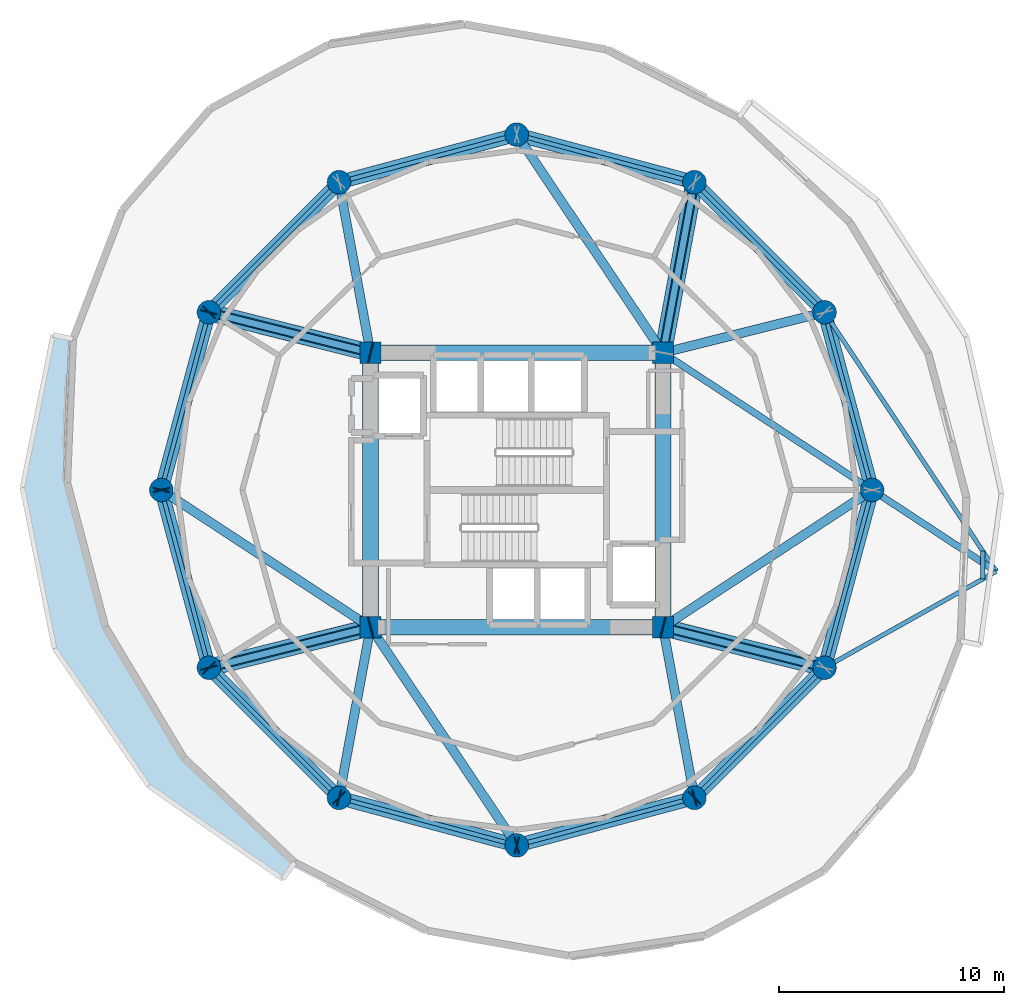
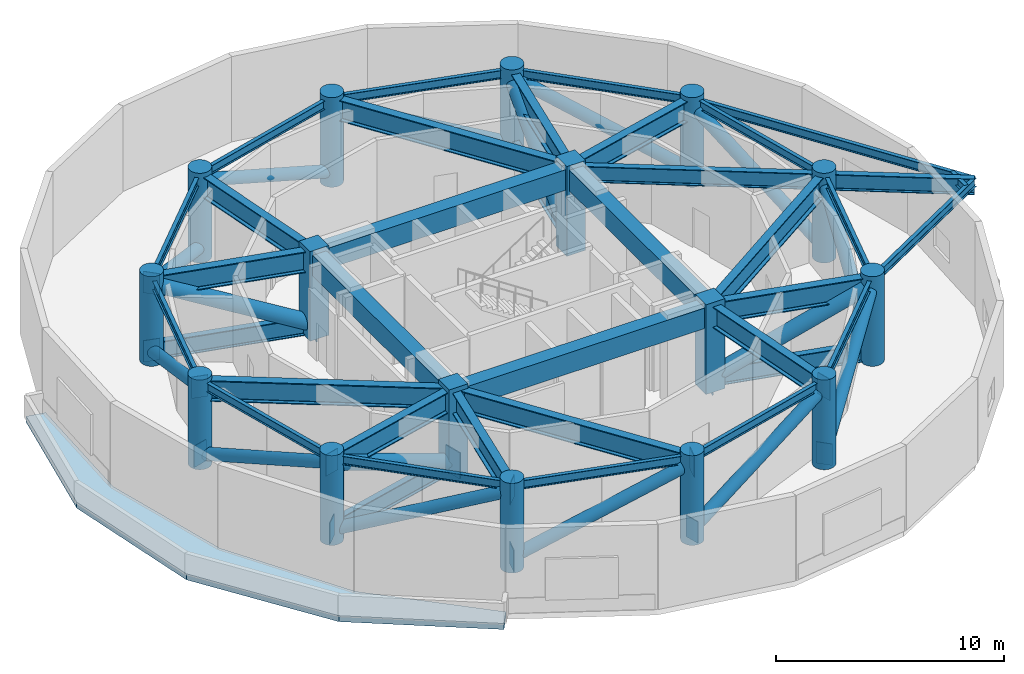
# One storey, part 1 of 7: 37 beams, 16 columns, 16 members, 15 plates, 1 slab.
"""IFC4 building model written with IfcOpenShell, lengths in metres."""

from ifc_helpers import new_model, si_unit, direction, frame, origin, origin_2d, place, context, subcontext, project, spatial, polyline, rectangle, circle, hollow_circle, i_section, outline, extrude, material, layer, layer_set, material_profile, profile_set, type_object, element, save


model = new_model("IFC4")

# Units and contexts
model_context = context("Model", 3, precision=1e-05, world=origin(), true_north=direction((0.0, 1.0)))
body_context = subcontext(model_context, "Body", "Model", "MODEL_VIEW")
ifc_project = project(units=[si_unit("LENGTHUNIT", "METRE"), si_unit("AREAUNIT", "SQUARE_METRE"), si_unit("VOLUMEUNIT", "CUBIC_METRE"), si_unit("PLANEANGLEUNIT", "RADIAN"), si_unit("MASSUNIT", "GRAM", prefix="KILO")], contexts=[model_context])

# Site, building, storey
site_placement = place(None, origin())
site = spatial("IfcSite", under=ifc_project, at=site_placement, CompositionType="ELEMENT")
building_placement = place(site_placement, origin())
building = spatial("IfcBuilding", under=site, at=building_placement, Name="Solvirekh Grand Hotel", CompositionType="ELEMENT")
storey_placement = place(building_placement, frame((0.0, 0.0, 163.800048828125)))
storey = spatial("IfcBuildingStorey", under=building, at=storey_placement, Name="L42", CompositionType="ELEMENT", Elevation=163.800048828125)

# Columns
ifc_material_1 = material(Name="Concrete C50/60", Category="concrete")
ifc_material_profile_1 = material_profile(ifc_material_1, rectangle(XDim=0.949951171875, YDim=0.949951171875, at=origin_2d()), Name="RC 950X950")
ifc_profile_set_1 = profile_set([ifc_material_profile_1], Name="Concrete C50/60")
column_type_1 = type_object("IfcColumnType", Name="Col_Core_950", PredefinedType="COLUMN", material=ifc_profile_set_1)
for number, where, z_axis, x_axis, name in (
    (1, (-6.5, -6.10009765625, 0.0), (0.0, 0.0, 1.0), (1.0, 0.0, 0.0), "L42 core corner column CC1"),
    (2, (6.5, -6.10009765625, 0.0), (0.0, 0.0, 1.0), (1.0, 0.0, 0.0), "L42 core corner column CC2"),
    (3, (6.5, 6.10009765625, 0.0), (0.0, 0.0, 1.0), (1.0, 0.0, 0.0), "L42 core corner column CC3"),
    (4, (-6.5, 6.10009765625, 0.0), (0.0, 0.0, 1.0), (1.0, 0.0, 0.0), "L42 core corner column CC4"),
):
    element("IfcColumn", number, at=place(storey_placement, frame(where, z_axis=z_axis, x_axis=x_axis)), inside=storey, type_object=column_type_1, Name=name, PredefinedType="COLUMN", context=body_context, shape_type="SweptSolid", body=[
        extrude(rectangle(XDim=0.949951171875, YDim=0.949951171875, at=origin_2d()), origin(), (0.0, 0.0, 1.0), 4.800048828125),
    ])
ifc_material_profile_2 = material_profile(ifc_material_1, circle(Radius=0.52490234375, at=origin_2d()), Name="RC CIRC D1050")
ifc_profile_set_2 = profile_set([ifc_material_profile_2], Name="Concrete C50/60")
column_type_2 = type_object("IfcColumnType", Name="Col_Z2_D1050", PredefinedType="COLUMN", material=ifc_profile_set_2)
for number, where, z_axis, x_axis, name in (
    (5, (15.800048828125, 0.0, 0.0), (0.0, 0.0, 1.0), (1.0, 0.0, 0.0), "L42 perimeter column P01"),
    (6, (13.68310546875, 7.89990234375, 0.0), (0.0, 0.0, 1.0), (1.0, 0.0, 0.0), "L42 perimeter column P02"),
    (7, (7.89990234375, 13.68310546875, 0.0), (0.0, 0.0, 1.0), (1.0, 0.0, 0.0), "L42 perimeter column P03"),
    (8, (0.0, 15.800048828125, 0.0), (0.0, 0.0, 1.0), (1.0, 0.0, 0.0), "L42 perimeter column P04"),
    (9, (-7.89990234375, 13.68310546875, 0.0), (0.0, 0.0, 1.0), (1.0, 0.0, 0.0), "L42 perimeter column P05"),
    (10, (-13.68310546875, 7.89990234375, 0.0), (0.0, 0.0, 1.0), (1.0, 0.0, 0.0), "L42 perimeter column P06"),
    (11, (-15.800048828125, 0.0, 0.0), (0.0, 0.0, 1.0), (1.0, 0.0, 0.0), "L42 perimeter column P07"),
    (12, (-13.68310546875, -7.89990234375, 0.0), (0.0, 0.0, 1.0), (1.0, 0.0, 0.0), "L42 perimeter column P08"),
    (13, (-7.89990234375, -13.68310546875, 0.0), (0.0, 0.0, 1.0), (1.0, 0.0, 0.0), "L42 perimeter column P09"),
    (14, (0.0, -15.800048828125, 0.0), (0.0, 0.0, 1.0), (1.0, 0.0, 0.0), "L42 perimeter column P10"),
    (15, (7.89990234375, -13.68310546875, 0.0), (0.0, 0.0, 1.0), (1.0, 0.0, 0.0), "L42 perimeter column P11"),
    (16, (13.68310546875, -7.89990234375, 0.0), (0.0, 0.0, 1.0), (1.0, 0.0, 0.0), "L42 perimeter column P12"),
):
    element("IfcColumn", number, at=place(storey_placement, frame(where, z_axis=z_axis, x_axis=x_axis)), inside=storey, type_object=column_type_2, Name=name, PredefinedType="COLUMN", context=body_context, shape_type="SweptSolid", body=[
        extrude(circle(Radius=0.52490234375, at=origin_2d()), origin(), (0.0, 0.0, 1.0), 4.800048828125),
    ])

# Beams
ifc_material_2 = material(Name="Concrete C60/75", Category="concrete")
ifc_material_profile_3 = material_profile(ifc_material_2, rectangle(XDim=0.699951171875, YDim=1.10009765625, at=origin_2d()), Name="RC BEAM 700X1100")
ifc_profile_set_3 = profile_set([ifc_material_profile_3], Name="Concrete C60/75")
beam_type_1 = type_object("IfcBeamType", Name="Beam_Core_RC1100", PredefinedType="BEAM", material=ifc_profile_set_3)
beam_1_placement = place(storey_placement, frame((-6.5, -6.10009765625, 4.010009765625), z_axis=(1.0, 0.0, 0.0), x_axis=(0.0, 1.0, 0.0)))
element("IfcBeam", 17, at=beam_1_placement, inside=storey, type_object=beam_type_1, Name="L42 core coupling ring beam 1", PredefinedType="BEAM", context=body_context, shape_type="SweptSolid", body=[
    extrude(rectangle(XDim=0.699951171875, YDim=1.10009765625, at=origin_2d()), origin(), (0.0, 0.0, 1.0), 13.0),
])
beam_2_placement = place(storey_placement, frame((6.5, -6.10009765625, 4.010009765625), z_axis=(0.0, 1.0, 0.0), x_axis=(-1.0, 0.0, 0.0)))
element("IfcBeam", 18, at=beam_2_placement, inside=storey, type_object=beam_type_1, Name="L42 core coupling ring beam 2", PredefinedType="BEAM", context=body_context, shape_type="SweptSolid", body=[
    extrude(rectangle(XDim=0.699951171875, YDim=1.10009765625, at=origin_2d()), origin(), (0.0, 0.0, 1.0), 12.2001953125),
])
beam_3_placement = place(storey_placement, frame((6.5, 6.10009765625, 4.010009765625), z_axis=(-1.0, 0.0, 0.0), x_axis=(0.0, -1.0, 0.0)))
element("IfcBeam", 19, at=beam_3_placement, inside=storey, type_object=beam_type_1, Name="L42 core coupling ring beam 3", PredefinedType="BEAM", context=body_context, shape_type="SweptSolid", body=[
    extrude(rectangle(XDim=0.699951171875, YDim=1.10009765625, at=origin_2d()), origin(), (0.0, 0.0, 1.0), 13.0),
])
beam_4_placement = place(storey_placement, frame((-6.5, 6.10009765625, 4.010009765625), z_axis=(0.0, -1.0, 0.0), x_axis=(1.0, 0.0, 0.0)))
element("IfcBeam", 20, at=beam_4_placement, inside=storey, type_object=beam_type_1, Name="L42 core coupling ring beam 4", PredefinedType="BEAM", context=body_context, shape_type="SweptSolid", body=[
    extrude(rectangle(XDim=0.699951171875, YDim=1.10009765625, at=origin_2d()), origin(), (0.0, 0.0, 1.0), 12.2001953125),
])
ifc_material_3 = material(Name="Steel S460", Category="steel")
ifc_material_profile_4 = material_profile(ifc_material_3, i_section(OverallWidth=0.31005859375, OverallDepth=0.927978515625, WebThickness=0.02099609375, FlangeThickness=0.035888671875, FilletRadius=0.02001953125, at=origin_2d()), Name="W920X342")
ifc_profile_set_4 = profile_set([ifc_material_profile_4], Name="Steel S460")
beam_type_2 = type_object("IfcBeamType", Name="Beam_Outrigger_W920", PredefinedType="BEAM", material=ifc_profile_set_4)
beam_5_placement = place(storey_placement, frame((6.5, 6.10009765625, 0.513916015625), z_axis=(0.181542769111, 0.983383049978, 0.0), x_axis=(-0.983383049978, 0.181542769111, 0.0)))
element("IfcBeam", 21, at=beam_5_placement, inside=storey, type_object=beam_type_2, Name="L42 lower outrigger chord 3", PredefinedType="BEAM", context=body_context, shape_type="SweptSolid", body=[
    extrude(i_section(OverallWidth=0.31005859375, OverallDepth=0.927978515625, WebThickness=0.02099609375, FlangeThickness=0.035888671875, FilletRadius=0.02001953125, at=origin_2d()), origin(), (0.0, 0.0, 1.0), 7.711181640625),
])
for number, where, z_axis, x_axis, name in (
    (22, (-6.5, 6.10009765625, 0.513916015625), (-0.970014367692, 0.243047580675, 0.0), (-0.243047580675, -0.970014367692, 0.0), "L42 lower outrigger chord 6"),
    (23, (-6.5, -6.10009765625, 0.513916015625), (-0.970014367692, -0.243047580675, 0.0), (0.243047580675, -0.970014367692, 0.0), "L42 lower outrigger chord 8"),
    (24, (6.5, -6.10009765625, 0.513916015625), (0.970014367692, -0.243047580675, 0.0), (0.243047580675, 0.970014367692, 0.0), "L42 lower outrigger chord 12"),
):
    element("IfcBeam", number, at=place(storey_placement, frame(where, z_axis=z_axis, x_axis=x_axis)), inside=storey, type_object=beam_type_2, Name=name, PredefinedType="BEAM", context=body_context, shape_type="SweptSolid", body=[
        extrude(i_section(OverallWidth=0.31005859375, OverallDepth=0.927978515625, WebThickness=0.02099609375, FlangeThickness=0.035888671875, FilletRadius=0.02001953125, at=origin_2d()), origin(), (0.0, 0.0, 1.0), 7.4052734375),
    ])
ifc_material_profile_5 = material_profile(ifc_material_3, i_section(OverallWidth=0.302001953125, OverallDepth=0.85498046875, WebThickness=0.01904296875, FlangeThickness=0.032958984375, FilletRadius=0.01806640625, at=origin_2d()), Name="W840X299")
ifc_profile_set_5 = profile_set([ifc_material_profile_5], Name="Steel S460")
beam_type_3 = type_object("IfcBeamType", Name="Beam_PoolTie_W840", PredefinedType="BEAM", material=ifc_profile_set_5)
beam_6_placement = place(storey_placement, frame((6.5, 6.10009765625, 4.06201171875), z_axis=(0.836174064962, -0.548464158432, 0.0), x_axis=(0.548464158432, 0.836174064962, 0.0)))
element("IfcBeam", 25, at=beam_6_placement, inside=storey, type_object=beam_type_3, Name="L43 sky-garden back-span tie girder", PredefinedType="BEAM", context=body_context, shape_type="SweptSolid", body=[
    extrude(i_section(OverallWidth=0.302001953125, OverallDepth=0.85498046875, WebThickness=0.01904296875, FlangeThickness=0.032958984375, FilletRadius=0.01806640625, at=origin_2d()), origin(), (0.0, 0.0, 1.0), 11.1220703125),
])
beam_7_placement = place(storey_placement, frame((15.800048828125, 0.0, 4.06201171875), z_axis=(0.836169839757, -0.548470600014, 0.0), x_axis=(0.548470600014, 0.836169839757, 0.0)))
element("IfcBeam", 26, at=beam_7_placement, inside=storey, type_object=beam_type_3, Name="L43 sky-garden primary cantilever bracket", PredefinedType="BEAM", context=body_context, shape_type="SweptSolid", body=[
    extrude(i_section(OverallWidth=0.302001953125, OverallDepth=0.85498046875, WebThickness=0.01904296875, FlangeThickness=0.032958984375, FilletRadius=0.01806640625, at=origin_2d()), origin(), (0.0, 0.0, 1.0), 6.600341796875),
])
ifc_material_4 = material(Name="Steel S355", Category="steel")
ifc_material_profile_6 = material_profile(ifc_material_4, i_section(OverallWidth=0.194091796875, OverallDepth=0.468994140625, WebThickness=0.010986328125, FlangeThickness=0.01904296875, FilletRadius=0.012939453125, at=origin_2d()), Name="W460X106")
ifc_profile_set_6 = profile_set([ifc_material_profile_6], Name="Steel S355")
beam_type_4 = type_object("IfcBeamType", Name="Beam_Radial_W460H", PredefinedType="BEAM", material=ifc_profile_set_6)
beam_8_placement = place(storey_placement, frame((13.68310546875, -7.89990234375, 4.2548828125), z_axis=(0.872329036255, 0.488919269928, 0.0), x_axis=(-0.488919269928, 0.872329036255, 0.0)))
element("IfcBeam", 27, at=beam_8_placement, inside=storey, type_object=beam_type_4, Name="L43 sky-garden edge tie beam 1", PredefinedType="BEAM", context=body_context, shape_type="SweptSolid", body=[
    extrude(i_section(OverallWidth=0.194091796875, OverallDepth=0.468994140625, WebThickness=0.010986328125, FlangeThickness=0.01904296875, FilletRadius=0.012939453125, at=origin_2d()), origin(), (0.0, 0.0, 1.0), 8.753662109375),
])
beam_9_placement = place(storey_placement, frame((13.68310546875, 7.89990234375, 4.2548828125), z_axis=(0.552492901579, -0.833517602516, 0.0), x_axis=(0.833517602516, 0.552492901579, 0.0)))
element("IfcBeam", 28, at=beam_9_placement, inside=storey, type_object=beam_type_4, Name="L43 sky-garden edge tie beam 2", PredefinedType="BEAM", context=body_context, shape_type="SweptSolid", body=[
    extrude(i_section(OverallWidth=0.194091796875, OverallDepth=0.468994140625, WebThickness=0.010986328125, FlangeThickness=0.01904296875, FilletRadius=0.012939453125, at=origin_2d()), origin(), (0.0, 0.0, 1.0), 13.821044921875),
])
beam_10_placement = place(storey_placement, frame((20.715087890625, -3.958984375, 4.2548828125), z_axis=(0.0, 1.0, 0.0), x_axis=(-1.0, 0.0, 0.0)))
element("IfcBeam", 29, at=beam_10_placement, inside=storey, type_object=beam_type_4, Name="L43 sky-garden outer cross trimmer", PredefinedType="BEAM", context=body_context, shape_type="SweptSolid", body=[
    extrude(i_section(OverallWidth=0.194091796875, OverallDepth=0.468994140625, WebThickness=0.010986328125, FlangeThickness=0.01904296875, FilletRadius=0.012939453125, at=origin_2d()), origin(), (0.0, 0.0, 1.0), 1.25),
])

# Members
ifc_material_profile_7 = material_profile(ifc_material_3, hollow_circle(Radius=0.304931640625, WallThickness=0.02490234375, at=origin_2d()), Name="CHS 610X25")
ifc_profile_set_7 = profile_set([ifc_material_profile_7], Name="Steel S460")
member_type_1 = type_object("IfcMemberType", Name="Brace_Belt_CHS610", PredefinedType="BRACE", material=ifc_profile_set_7)
for number, where, z_axis, x_axis, name in (
    (30, (15.800048828125, 0.0, 0.513916015625), (-0.237095475708, 0.884780925262, 0.401183810355), (-0.965920601923, -0.258838541915, 0.0), "L42 perimeter belt-truss brace 1"),
    (31, (13.68310546875, 7.89990234375, 0.513916015625), (-0.647708850377, 0.647708850377, 0.401181368319), (-0.707106781187, -0.707106781187, 0.0), "L42 perimeter belt-truss brace 2"),
    (32, (7.89990234375, 13.68310546875, 0.513916015625), (-0.884780925262, 0.237095475708, 0.401183810355), (-0.258838541915, -0.965920601923, 0.0), "L42 perimeter belt-truss brace 3"),
    (33, (0.0, 15.800048828125, 0.513916015625), (-0.884780925262, -0.237095475708, 0.401183810355), (0.258838541915, -0.965920601923, 0.0), "L42 perimeter belt-truss brace 4"),
    (34, (-7.89990234375, 13.68310546875, 0.513916015625), (-0.647708850377, -0.647708850377, 0.401181368319), (0.707106781187, -0.707106781187, 0.0), "L42 perimeter belt-truss brace 5"),
    (35, (-13.68310546875, 7.89990234375, 0.513916015625), (-0.237095475708, -0.884780925262, 0.401183810355), (0.965920601923, -0.258838541915, 0.0), "L42 perimeter belt-truss brace 6"),
    (36, (-15.800048828125, 0.0, 0.513916015625), (0.237095475708, -0.884780925262, 0.401183810355), (0.965920601923, 0.258838541915, 0.0), "L42 perimeter belt-truss brace 7"),
    (37, (-13.68310546875, -7.89990234375, 0.513916015625), (0.647708850377, -0.647708850377, 0.401181368319), (0.707106781187, 0.707106781187, 0.0), "L42 perimeter belt-truss brace 8"),
    (38, (-7.89990234375, -13.68310546875, 0.513916015625), (0.884780925262, -0.237095475708, 0.401183810355), (0.258838541915, 0.965920601923, 0.0), "L42 perimeter belt-truss brace 9"),
    (39, (0.0, -15.800048828125, 0.513916015625), (0.884780925262, 0.237095475708, 0.401183810355), (-0.258838541915, 0.965920601923, 0.0), "L42 perimeter belt-truss brace 10"),
    (40, (7.89990234375, -13.68310546875, 0.513916015625), (0.647708850377, 0.647708850377, 0.401181368319), (-0.707106781187, 0.707106781187, 0.0), "L42 perimeter belt-truss brace 11"),
    (41, (13.68310546875, -7.89990234375, 0.513916015625), (0.237095475708, 0.884780925262, 0.401183810355), (-0.965920601923, 0.258838541915, 0.0), "L42 perimeter belt-truss brace 12"),
):
    element("IfcMember", number, at=place(storey_placement, frame(where, z_axis=z_axis, x_axis=x_axis)), inside=storey, type_object=member_type_1, Name=name, PredefinedType="BRACE", context=body_context, shape_type="SweptSolid", body=[
        extrude(hollow_circle(Radius=0.304931640625, WallThickness=0.02490234375, at=origin_2d()), origin(), (0.0, 0.0, 1.0), 8.9287109375),
    ])
ifc_material_profile_8 = material_profile(ifc_material_3, hollow_circle(Radius=0.381103515625, WallThickness=0.028076171875, at=origin_2d()), Name="CHS 762X28")
ifc_profile_set_8 = profile_set([ifc_material_profile_8], Name="Steel S460")
member_type_2 = type_object("IfcMemberType", Name="Brace_Outrigger_CHS762", PredefinedType="BRACE", material=ifc_profile_set_8)
member_placement = place(storey_placement, frame((6.5, 6.10009765625, 0.513916015625), z_axis=(0.16464576804, 0.891855171838, 0.42129102), x_axis=(-0.983383049978, 0.181542769111, 0.0)))
element("IfcMember", 42, at=member_placement, inside=storey, type_object=member_type_2, Name="L42 outrigger truss diagonal 3", PredefinedType="BRACE", context=body_context, shape_type="SweptSolid", body=[
    extrude(hollow_circle(Radius=0.381103515625, WallThickness=0.028076171875, at=origin_2d()), origin(), (0.0, 0.0, 1.0), 8.50244140625),
])
for number, where, z_axis, x_axis, name in (
    (43, (-6.5, 6.10009765625, 0.513916015625), (-0.873218610306, 0.218794357799, 0.43545182008), (-0.243047580675, -0.970014367692, 0.0), "L42 outrigger truss diagonal 6"),
    (44, (-6.5, -6.10009765625, 0.513916015625), (-0.873218610306, -0.218794357799, 0.43545182008), (0.243047580675, -0.970014367692, 0.0), "L42 outrigger truss diagonal 8"),
    (45, (6.5, -6.10009765625, 0.513916015625), (0.873218610306, -0.218794357799, 0.43545182008), (0.243047580675, 0.970014367692, 0.0), "L42 outrigger truss diagonal 12"),
):
    element("IfcMember", number, at=place(storey_placement, frame(where, z_axis=z_axis, x_axis=x_axis)), inside=storey, type_object=member_type_2, Name=name, PredefinedType="BRACE", context=body_context, shape_type="SweptSolid", body=[
        extrude(hollow_circle(Radius=0.381103515625, WallThickness=0.028076171875, at=origin_2d()), origin(), (0.0, 0.0, 1.0), 8.22607421875),
    ])

# Beams
ifc_material_profile_9 = material_profile(ifc_material_4, i_section(OverallWidth=0.18994140625, OverallDepth=0.45703125, WebThickness=0.009033203125, FlangeThickness=0.013916015625, FilletRadius=0.012939453125, at=origin_2d()), Name="W460X74")
ifc_profile_set_9 = profile_set([ifc_material_profile_9], Name="Steel S355")
beam_type_5 = type_object("IfcBeamType", Name="Spandrel_Ring_W460", PredefinedType="SPANDREL", material=ifc_profile_set_9)
for number, where, z_axis, x_axis, name in (
    (46, (15.800048828125, 0.0, 4.33203125), (-0.258838541915, 0.965920601923, 0.0), (-0.965920601923, -0.258838541915, 0.0), "L42 perimeter spandrel beam 1"),
    (47, (13.68310546875, 7.89990234375, 4.33203125), (-0.707106781187, 0.707106781187, 0.0), (-0.707106781187, -0.707106781187, 0.0), "L42 perimeter spandrel beam 2"),
    (48, (7.89990234375, 13.68310546875, 4.33203125), (-0.965920601923, 0.258838541915, 0.0), (-0.258838541915, -0.965920601923, 0.0), "L42 perimeter spandrel beam 3"),
    (49, (0.0, 15.800048828125, 4.33203125), (-0.965920601923, -0.258838541915, 0.0), (0.258838541915, -0.965920601923, 0.0), "L42 perimeter spandrel beam 4"),
    (50, (-7.89990234375, 13.68310546875, 4.33203125), (-0.707106781187, -0.707106781187, 0.0), (0.707106781187, -0.707106781187, 0.0), "L42 perimeter spandrel beam 5"),
    (51, (-13.68310546875, 7.89990234375, 4.33203125), (-0.258838541915, -0.965920601923, 0.0), (0.965920601923, -0.258838541915, 0.0), "L42 perimeter spandrel beam 6"),
    (52, (-15.800048828125, 0.0, 4.33203125), (0.258838541915, -0.965920601923, 0.0), (0.965920601923, 0.258838541915, 0.0), "L42 perimeter spandrel beam 7"),
    (53, (-13.68310546875, -7.89990234375, 4.33203125), (0.707106781187, -0.707106781187, 0.0), (0.707106781187, 0.707106781187, 0.0), "L42 perimeter spandrel beam 8"),
    (54, (-7.89990234375, -13.68310546875, 4.33203125), (0.965920601923, -0.258838541915, 0.0), (0.258838541915, 0.965920601923, 0.0), "L42 perimeter spandrel beam 9"),
    (55, (0.0, -15.800048828125, 4.33203125), (0.965920601923, 0.258838541915, 0.0), (-0.258838541915, 0.965920601923, 0.0), "L42 perimeter spandrel beam 10"),
    (56, (7.89990234375, -13.68310546875, 4.33203125), (0.707106781187, 0.707106781187, 0.0), (-0.707106781187, 0.707106781187, 0.0), "L42 perimeter spandrel beam 11"),
    (57, (13.68310546875, -7.89990234375, 4.33203125), (0.258838541915, 0.965920601923, 0.0), (-0.965920601923, 0.258838541915, 0.0), "L42 perimeter spandrel beam 12"),
):
    element("IfcBeam", number, at=place(storey_placement, frame(where, z_axis=z_axis, x_axis=x_axis)), inside=storey, type_object=beam_type_5, Name=name, PredefinedType="SPANDREL", context=body_context, shape_type="SweptSolid", body=[
        extrude(i_section(OverallWidth=0.18994140625, OverallDepth=0.45703125, WebThickness=0.009033203125, FlangeThickness=0.013916015625, FilletRadius=0.012939453125, at=origin_2d()), origin(), (0.0, 0.0, 1.0), 8.1787109375),
    ])
ifc_material_profile_10 = material_profile(ifc_material_3, i_section(OverallWidth=0.405029296875, OverallDepth=1.117919921875, WebThickness=0.02587890625, FlangeThickness=0.048095703125, FilletRadius=0.02392578125, at=origin_2d()), Name="W1100X499")
ifc_profile_set_10 = profile_set([ifc_material_profile_10], Name="Steel S460")
beam_type_6 = type_object("IfcBeamType", Name="TransferGirder_W1100", PredefinedType="USERDEFINED", material=ifc_profile_set_10)
beam_11_placement = place(storey_placement, frame((6.5, -6.10009765625, 4.0009765625), z_axis=(0.836174064962, 0.548464158432, 0.0), x_axis=(-0.548464158432, 0.836174064962, 0.0)))
element("IfcBeam", 58, at=beam_11_placement, inside=storey, type_object=beam_type_6, Name="L42 radial transfer girder 1", ObjectType="TRANSFER GIRDER", PredefinedType="USERDEFINED", context=body_context, shape_type="SweptSolid", body=[
    extrude(i_section(OverallWidth=0.405029296875, OverallDepth=1.117919921875, WebThickness=0.02587890625, FlangeThickness=0.048095703125, FilletRadius=0.02392578125, at=origin_2d()), origin(), (0.0, 0.0, 1.0), 11.1220703125),
])
beam_12_placement = place(storey_placement, frame((6.5, 6.10009765625, 4.0009765625), z_axis=(0.970014367692, 0.243047580675, 0.0), x_axis=(-0.243047580675, 0.970014367692, 0.0)))
element("IfcBeam", 59, at=beam_12_placement, inside=storey, type_object=beam_type_6, Name="L42 radial transfer girder 2", ObjectType="TRANSFER GIRDER", PredefinedType="USERDEFINED", context=body_context, shape_type="SweptSolid", body=[
    extrude(i_section(OverallWidth=0.405029296875, OverallDepth=1.117919921875, WebThickness=0.02587890625, FlangeThickness=0.048095703125, FilletRadius=0.02392578125, at=origin_2d()), origin(), (0.0, 0.0, 1.0), 7.4052734375),
])
beam_13_placement = place(storey_placement, frame((6.5, 6.10009765625, 4.0009765625), z_axis=(0.181542769111, 0.983383049978, 0.0), x_axis=(-0.983383049978, 0.181542769111, 0.0)))
element("IfcBeam", 60, at=beam_13_placement, inside=storey, type_object=beam_type_6, Name="L42 radial transfer girder 3", ObjectType="TRANSFER GIRDER", PredefinedType="USERDEFINED", context=body_context, shape_type="SweptSolid", body=[
    extrude(i_section(OverallWidth=0.405029296875, OverallDepth=1.117919921875, WebThickness=0.02587890625, FlangeThickness=0.048095703125, FilletRadius=0.02392578125, at=origin_2d()), origin(), (0.0, 0.0, 1.0), 7.711181640625),
])
beam_14_placement = place(storey_placement, frame((6.5, 6.10009765625, 4.0009765625), z_axis=(-0.556676926176, 0.830729077295, 0.0), x_axis=(-0.830729077295, -0.556676926176, 0.0)))
element("IfcBeam", 61, at=beam_14_placement, inside=storey, type_object=beam_type_6, Name="L42 radial transfer girder 4", ObjectType="TRANSFER GIRDER", PredefinedType="USERDEFINED", context=body_context, shape_type="SweptSolid", body=[
    extrude(i_section(OverallWidth=0.405029296875, OverallDepth=1.117919921875, WebThickness=0.02587890625, FlangeThickness=0.048095703125, FilletRadius=0.02392578125, at=origin_2d()), origin(), (0.0, 0.0, 1.0), 11.676513671875),
])
beam_15_placement = place(storey_placement, frame((-6.5, 6.10009765625, 4.0009765625), z_axis=(-0.181542769111, 0.983383049978, 0.0), x_axis=(-0.983383049978, -0.181542769111, 0.0)))
element("IfcBeam", 62, at=beam_15_placement, inside=storey, type_object=beam_type_6, Name="L42 radial transfer girder 5", ObjectType="TRANSFER GIRDER", PredefinedType="USERDEFINED", context=body_context, shape_type="SweptSolid", body=[
    extrude(i_section(OverallWidth=0.405029296875, OverallDepth=1.117919921875, WebThickness=0.02587890625, FlangeThickness=0.048095703125, FilletRadius=0.02392578125, at=origin_2d()), origin(), (0.0, 0.0, 1.0), 7.711181640625),
])
beam_16_placement = place(storey_placement, frame((-6.5, 6.10009765625, 4.0009765625), z_axis=(-0.970014367692, 0.243047580675, 0.0), x_axis=(-0.243047580675, -0.970014367692, 0.0)))
element("IfcBeam", 63, at=beam_16_placement, inside=storey, type_object=beam_type_6, Name="L42 radial transfer girder 6", ObjectType="TRANSFER GIRDER", PredefinedType="USERDEFINED", context=body_context, shape_type="SweptSolid", body=[
    extrude(i_section(OverallWidth=0.405029296875, OverallDepth=1.117919921875, WebThickness=0.02587890625, FlangeThickness=0.048095703125, FilletRadius=0.02392578125, at=origin_2d()), origin(), (0.0, 0.0, 1.0), 7.4052734375),
])
beam_17_placement = place(storey_placement, frame((-6.5, -6.10009765625, 4.0009765625), z_axis=(-0.836174064962, 0.548464158432, 0.0), x_axis=(-0.548464158432, -0.836174064962, 0.0)))
element("IfcBeam", 64, at=beam_17_placement, inside=storey, type_object=beam_type_6, Name="L42 radial transfer girder 7", ObjectType="TRANSFER GIRDER", PredefinedType="USERDEFINED", context=body_context, shape_type="SweptSolid", body=[
    extrude(i_section(OverallWidth=0.405029296875, OverallDepth=1.117919921875, WebThickness=0.02587890625, FlangeThickness=0.048095703125, FilletRadius=0.02392578125, at=origin_2d()), origin(), (0.0, 0.0, 1.0), 11.1220703125),
])
beam_18_placement = place(storey_placement, frame((-6.5, -6.10009765625, 4.0009765625), z_axis=(-0.970014367692, -0.243047580675, 0.0), x_axis=(0.243047580675, -0.970014367692, 0.0)))
element("IfcBeam", 65, at=beam_18_placement, inside=storey, type_object=beam_type_6, Name="L42 radial transfer girder 8", ObjectType="TRANSFER GIRDER", PredefinedType="USERDEFINED", context=body_context, shape_type="SweptSolid", body=[
    extrude(i_section(OverallWidth=0.405029296875, OverallDepth=1.117919921875, WebThickness=0.02587890625, FlangeThickness=0.048095703125, FilletRadius=0.02392578125, at=origin_2d()), origin(), (0.0, 0.0, 1.0), 7.4052734375),
])
beam_19_placement = place(storey_placement, frame((-6.5, -6.10009765625, 4.0009765625), z_axis=(-0.181542769111, -0.983383049978, 0.0), x_axis=(0.983383049978, -0.181542769111, 0.0)))
element("IfcBeam", 66, at=beam_19_placement, inside=storey, type_object=beam_type_6, Name="L42 radial transfer girder 9", ObjectType="TRANSFER GIRDER", PredefinedType="USERDEFINED", context=body_context, shape_type="SweptSolid", body=[
    extrude(i_section(OverallWidth=0.405029296875, OverallDepth=1.117919921875, WebThickness=0.02587890625, FlangeThickness=0.048095703125, FilletRadius=0.02392578125, at=origin_2d()), origin(), (0.0, 0.0, 1.0), 7.711181640625),
])
beam_20_placement = place(storey_placement, frame((-6.5, -6.10009765625, 4.0009765625), z_axis=(0.556676926176, -0.830729077295, 0.0), x_axis=(0.830729077295, 0.556676926176, 0.0)))
element("IfcBeam", 67, at=beam_20_placement, inside=storey, type_object=beam_type_6, Name="L42 radial transfer girder 10", ObjectType="TRANSFER GIRDER", PredefinedType="USERDEFINED", context=body_context, shape_type="SweptSolid", body=[
    extrude(i_section(OverallWidth=0.405029296875, OverallDepth=1.117919921875, WebThickness=0.02587890625, FlangeThickness=0.048095703125, FilletRadius=0.02392578125, at=origin_2d()), origin(), (0.0, 0.0, 1.0), 11.676513671875),
])
beam_21_placement = place(storey_placement, frame((6.5, -6.10009765625, 4.0009765625), z_axis=(0.181542769111, -0.983383049978, 0.0), x_axis=(0.983383049978, 0.181542769111, 0.0)))
element("IfcBeam", 68, at=beam_21_placement, inside=storey, type_object=beam_type_6, Name="L42 radial transfer girder 11", ObjectType="TRANSFER GIRDER", PredefinedType="USERDEFINED", context=body_context, shape_type="SweptSolid", body=[
    extrude(i_section(OverallWidth=0.405029296875, OverallDepth=1.117919921875, WebThickness=0.02587890625, FlangeThickness=0.048095703125, FilletRadius=0.02392578125, at=origin_2d()), origin(), (0.0, 0.0, 1.0), 7.711181640625),
])
beam_22_placement = place(storey_placement, frame((6.5, -6.10009765625, 4.0009765625), z_axis=(0.970014367692, -0.243047580675, 0.0), x_axis=(0.243047580675, 0.970014367692, 0.0)))
element("IfcBeam", 69, at=beam_22_placement, inside=storey, type_object=beam_type_6, Name="L42 radial transfer girder 12", ObjectType="TRANSFER GIRDER", PredefinedType="USERDEFINED", context=body_context, shape_type="SweptSolid", body=[
    extrude(i_section(OverallWidth=0.405029296875, OverallDepth=1.117919921875, WebThickness=0.02587890625, FlangeThickness=0.048095703125, FilletRadius=0.02392578125, at=origin_2d()), origin(), (0.0, 0.0, 1.0), 7.4052734375),
])

# Plates
ifc_layer_1 = layer(ifc_material_3, 0.044921875)
ifc_layer_set_1 = layer_set([ifc_layer_1], Name="Steel S460")
plate_type_1 = type_object("IfcPlateType", Name="GussetPlate_45", PredefinedType="USERDEFINED", material=ifc_layer_set_1)
for number, where, z_axis, x_axis, name in (
    (70, (-13.68310546875, 7.89990234375, 3.52099609375), (0.0, 0.0, 1.0), (-0.707106781187, -0.707106781187, 0.0), "L42 hollow-section node plate GP-L42-BELT-05B"),
    (71, (-13.68310546875, 7.89990234375, -0.06103515625), (0.0, 0.0, 1.0), (-0.258819045103, -0.965925826289, 0.0), "L42 hollow-section node plate GP-L42-BELT-06A"),
    (72, (-15.800048828125, 0.0, 3.52099609375), (0.0, 0.0, 1.0), (-0.258819045103, -0.965925826289, 0.0), "L42 hollow-section node plate GP-L42-BELT-06B"),
    (73, (-15.800048828125, 0.0, -0.06103515625), (0.0, 0.0, 1.0), (0.258819045103, -0.965925826289, 0.0), "L42 hollow-section node plate GP-L42-BELT-07A"),
    (74, (-13.68310546875, -7.89990234375, 3.52099609375), (0.0, 0.0, 1.0), (0.258819045103, -0.965925826289, 0.0), "L42 hollow-section node plate GP-L42-BELT-07B"),
    (75, (-13.68310546875, -7.89990234375, -0.06103515625), (0.0, 0.0, 1.0), (0.707106781187, -0.707106781187, 0.0), "L42 hollow-section node plate GP-L42-BELT-08A"),
    (76, (-7.89990234375, -13.68310546875, 3.52099609375), (0.0, 0.0, 1.0), (0.707106781187, -0.707106781187, 0.0), "L42 hollow-section node plate GP-L42-BELT-08B"),
    (77, (-7.89990234375, -13.68310546875, -0.06103515625), (0.0, 0.0, 1.0), (0.965925826289, -0.258819045103, 0.0), "L42 hollow-section node plate GP-L42-BELT-09A"),
    (78, (0.0, -15.800048828125, 3.52099609375), (0.0, 0.0, 1.0), (0.965925826289, -0.258819045103, 0.0), "L42 hollow-section node plate GP-L42-BELT-09B"),
    (79, (0.0, -15.800048828125, -0.06103515625), (0.0, 0.0, 1.0), (0.965925826289, 0.258819045103, 0.0), "L42 hollow-section node plate GP-L42-BELT-10A"),
    (80, (7.89990234375, -13.68310546875, 3.52099609375), (0.0, 0.0, 1.0), (0.965925826289, 0.258819045103, 0.0), "L42 hollow-section node plate GP-L42-BELT-10B"),
    (81, (7.89990234375, -13.68310546875, -0.06103515625), (0.0, 0.0, 1.0), (0.707106781187, 0.707106781187, 0.0), "L42 hollow-section node plate GP-L42-BELT-11A"),
):
    element("IfcPlate", number, at=place(storey_placement, frame(where, z_axis=z_axis, x_axis=x_axis)), inside=storey, type_object=plate_type_1, Name=name, ObjectType="GUSSET PLATE", PredefinedType="USERDEFINED", context=body_context, shape_type="SweptSolid", body=[
        extrude(rectangle(XDim=0.044921875, YDim=0.75, at=origin_2d()), origin(), (0.0, 0.0, 1.0), 1.14990234375),
    ])
ifc_layer_2 = layer(ifc_material_3, 0.06005859375)
ifc_layer_set_2 = layer_set([ifc_layer_2], Name="Steel S460")
plate_type_2 = type_object("IfcPlateType", Name="GussetPlate_60", PredefinedType="USERDEFINED", material=ifc_layer_set_2)
for number, where, z_axis, x_axis, name in (
    (82, (-6.5, 6.10009765625, -0.18603515625), (0.0, 0.0, 1.0), (-0.969999438853, 0.243107154615, 0.0), "L42 hollow-section node plate GP-L42-OUTR-06A"),
    (83, (-6.5, -6.10009765625, -0.18603515625), (0.0, 0.0, 1.0), (-0.969999438853, -0.243107154615, 0.0), "L42 hollow-section node plate GP-L42-OUTR-08A"),
    (84, (6.5, -6.10009765625, -0.18603515625), (0.0, 0.0, 1.0), (0.969999438853, -0.243107154615, 0.0), "L42 hollow-section node plate GP-L42-OUTR-12A"),
):
    element("IfcPlate", number, at=place(storey_placement, frame(where, z_axis=z_axis, x_axis=x_axis)), inside=storey, type_object=plate_type_2, Name=name, ObjectType="GUSSET PLATE", PredefinedType="USERDEFINED", context=body_context, shape_type="SweptSolid", body=[
        extrude(rectangle(XDim=0.06005859375, YDim=0.89990234375, at=origin_2d()), origin(), (0.0, 0.0, 1.0), 1.39990234375),
    ])

# Slab
ifc_layer_3 = layer(ifc_material_1, 0.320068359375)
ifc_layer_set_3 = layer_set([ifc_layer_3], Name="Concrete C50/60")
slab_type = type_object("IfcSlabType", Name="RoofSlab_Podium_320", PredefinedType="ROOF", material=ifc_layer_set_3)
slab_placement = place(storey_placement, frame((0.0, 0.0, -0.320068359375)))
element("IfcSlab", 85, at=slab_placement, inside=storey, type_object=slab_type, Name="L42 setback mechanical south roof cap", PredefinedType="ROOF", context=body_context, shape_type="SweptSolid", body=[
    extrude(outline(polyline([(-20.611083984375, 6.89404296875), (-21.97412109375, 0.10888671875), (-20.550048828125, -7.0400390625), (-16.363037109375, -13.156005859375), (-10.39208984375, -17.294921875), (-9.87109375, -16.56103515625), (-14.806884765625, -11.905029296875), (-18.2939453125, -6.0849609375), (-19.989990234375, 0.33203125), (-19.72900390625, 6.715087890625), (-20.611083984375, 6.89404296875)])), origin(), (0.0, 0.0, 1.0), 0.320068359375),
])

save(model, "model.ifc")
